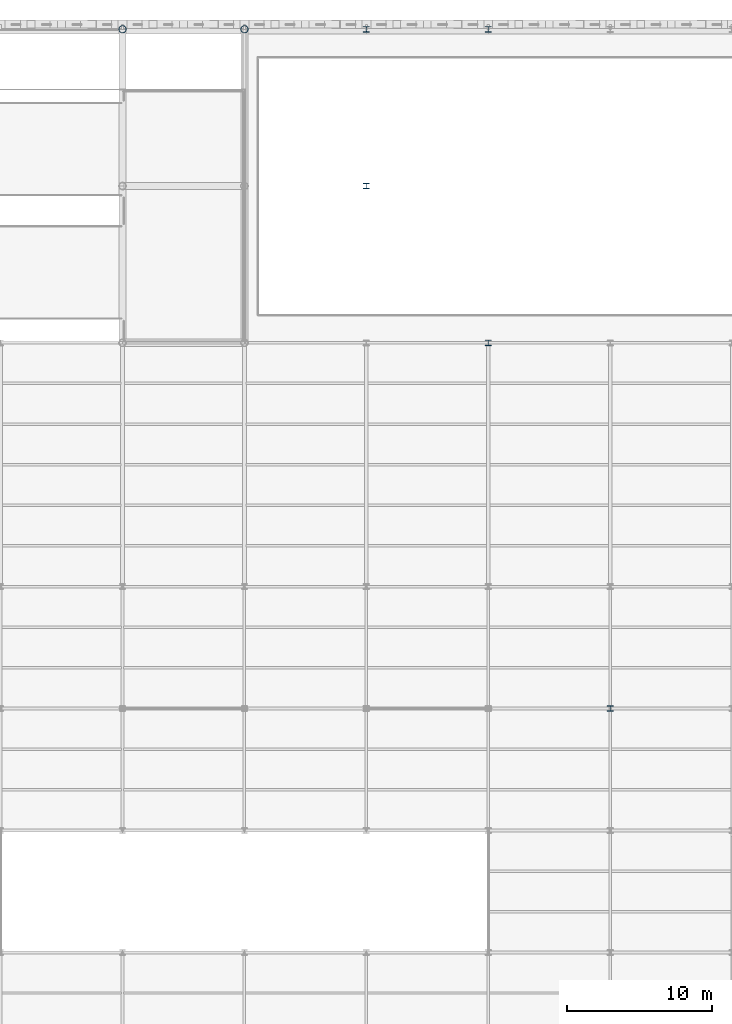
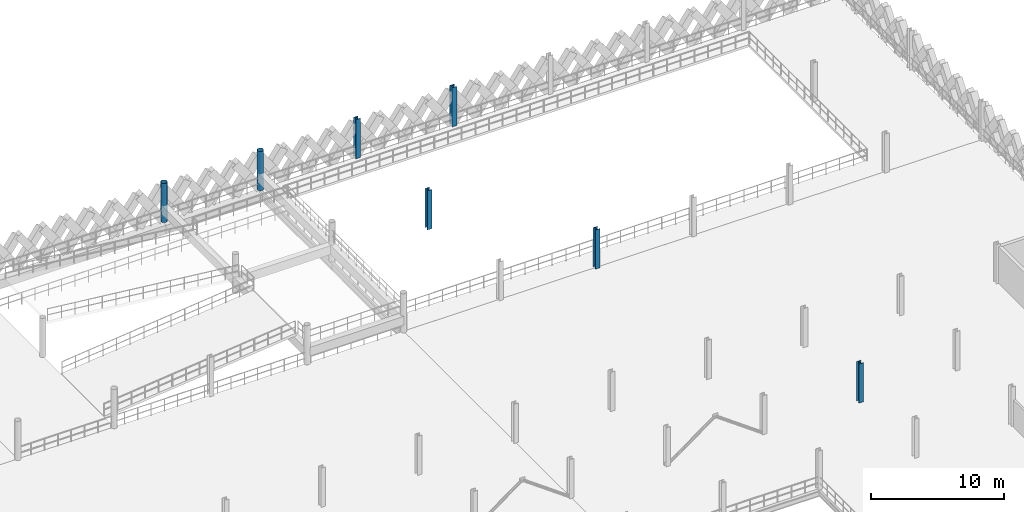
# One storey, part 12 of 79: 7 columns.
"""IFC4 building model written with IfcOpenShell, lengths in metres."""

from ifc_helpers import new_model, si_unit, direction, frame, origin, origin_2d, place, context, subcontext, project, spatial, hollow_circle, i_section, extrude, material, material_profile, profile_set, type_object, element, save


model = new_model("IFC4")

# Units and contexts
model_context = context("Model", 3, precision=1e-05, world=origin(), true_north=direction((0.0, 1.0)))
body_context = subcontext(model_context, "Body", "Model", "MODEL_VIEW")
ifc_project = project(units=[si_unit("LENGTHUNIT", "METRE"), si_unit("AREAUNIT", "SQUARE_METRE"), si_unit("VOLUMEUNIT", "CUBIC_METRE"), si_unit("PLANEANGLEUNIT", "RADIAN"), si_unit("MASSUNIT", "GRAM", prefix="KILO"), si_unit("THERMODYNAMICTEMPERATUREUNIT", "KELVIN"), si_unit("POWERUNIT", "WATT")], contexts=[model_context])

# Site, building, storey
site_placement = place(None, origin())
site = spatial("IfcSite", under=ifc_project, at=site_placement, CompositionType="ELEMENT")
building_placement = place(site_placement, origin())
building = spatial("IfcBuilding", under=site, at=building_placement, Name="Tembeka Court Mobility Hub", CompositionType="ELEMENT")
storey_placement = place(building_placement, frame((0.0, 0.0, 9.0)))
storey = spatial("IfcBuildingStorey", under=building, at=storey_placement, Name="L02", CompositionType="ELEMENT", Elevation=9.0)

# Columns
ifc_material = material(Name="Steel S355", Category="steel")
ifc_material_profile_1 = material_profile(ifc_material, i_section(OverallWidth=0.39501953125, OverallDepth=0.381103515625, WebThickness=0.018310546875, FlangeThickness=0.0302734375, FilletRadius=0.01513671875, at=origin_2d()), Name="UKC 356x406x235")
ifc_profile_set_1 = profile_set([ifc_material_profile_1], Name="Steel S355")
column_type_1 = type_object("IfcColumnType", Name="COL-C02", PredefinedType="COLUMN", material=ifc_profile_set_1)
for number, where, z_axis, x_axis, name in (
    (1, (50.39990234375, 108.0, 0.0), (0.0, 0.0, 1.0), (1.0, 0.0, 0.0), "Column C02 (L02-081)"),
    (2, (50.39990234375, 118.800048828125, 0.0), (0.0, 0.0, 1.0), (1.0, 0.0, 0.0), "Column C02 (L02-082)"),
    (3, (58.800048828125, 97.199951171875, 0.0), (0.0, 0.0, 1.0), (1.0, 0.0, 0.0), "Column C02 (L02-091)"),
    (4, (58.800048828125, 118.800048828125, 0.0), (0.0, 0.0, 1.0), (1.0, 0.0, 0.0), "Column C02 (L02-092)"),
    (5, (67.199951171875, 72.0, 0.0), (0.0, 0.0, 1.0), (1.0, 0.0, 0.0), "Column C02 (L02-099)"),
):
    element("IfcColumn", number, at=place(storey_placement, frame(where, z_axis=z_axis, x_axis=x_axis)), inside=storey, type_object=column_type_1, Name=name, PredefinedType="COLUMN", context=body_context, shape_type="SweptSolid", body=[
        extrude(i_section(OverallWidth=0.39501953125, OverallDepth=0.381103515625, WebThickness=0.018310546875, FlangeThickness=0.0302734375, FilletRadius=0.01513671875, at=origin_2d()), origin(), (0.0, 0.0, 1.0), 3.60009765625),
    ])
ifc_material_profile_2 = material_profile(ifc_material, hollow_circle(Radius=0.25390625, WallThickness=0.01611328125, at=origin_2d()), Name="CHS 508x16")
ifc_profile_set_2 = profile_set([ifc_material_profile_2], Name="Steel S355")
column_type_2 = type_object("IfcColumnType", Name="COL-C08", PredefinedType="COLUMN", material=ifc_profile_set_2)
for number, where, z_axis, x_axis, name in (
    (6, (33.60009765625, 118.800048828125, 0.0), (0.0, 0.0, 1.0), (1.0, 0.0, 0.0), "Column C08 (L02-058)"),
    (7, (42.0, 118.800048828125, 0.0), (0.0, 0.0, 1.0), (1.0, 0.0, 0.0), "Column C08 (L02-070)"),
):
    element("IfcColumn", number, at=place(storey_placement, frame(where, z_axis=z_axis, x_axis=x_axis)), inside=storey, type_object=column_type_2, Name=name, PredefinedType="COLUMN", context=body_context, shape_type="SweptSolid", body=[
        extrude(hollow_circle(Radius=0.25390625, WallThickness=0.01611328125, at=origin_2d()), origin(), (0.0, 0.0, 1.0), 3.60009765625),
    ])

save(model, "model.ifc")
